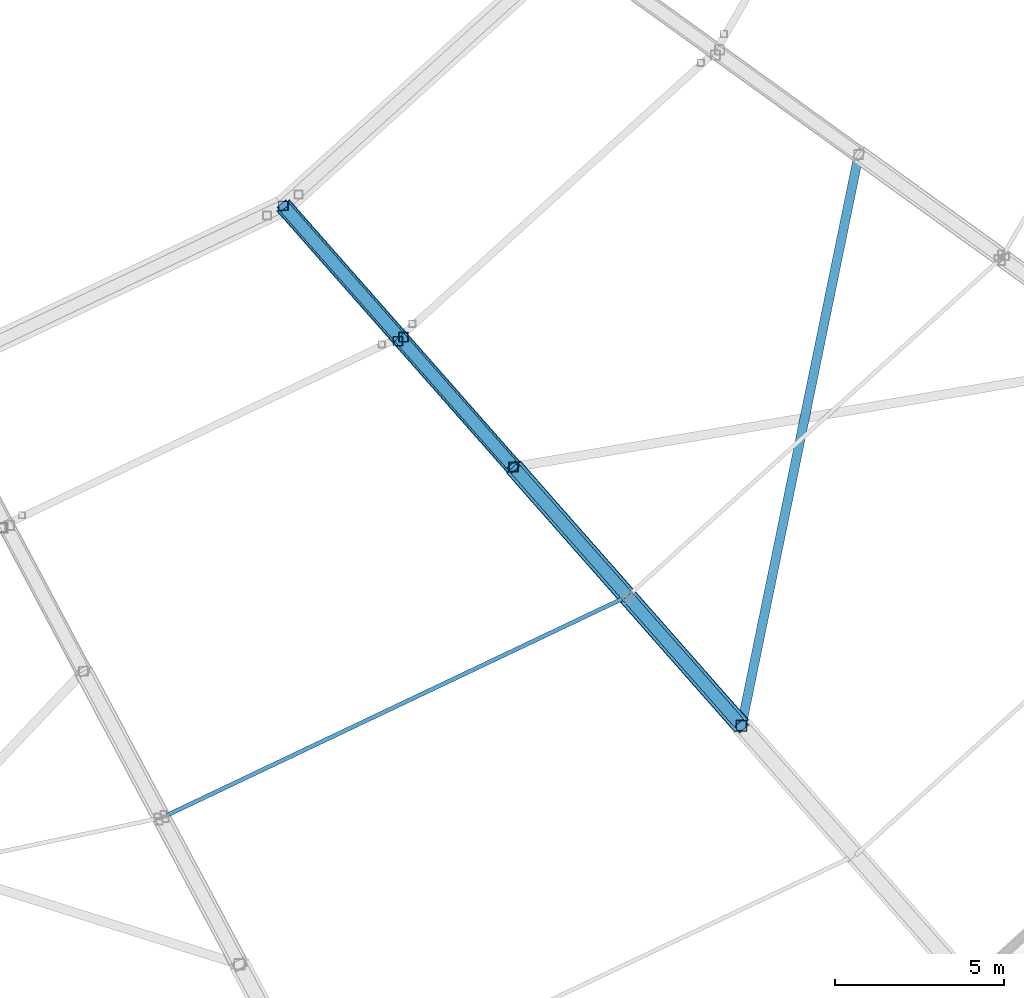
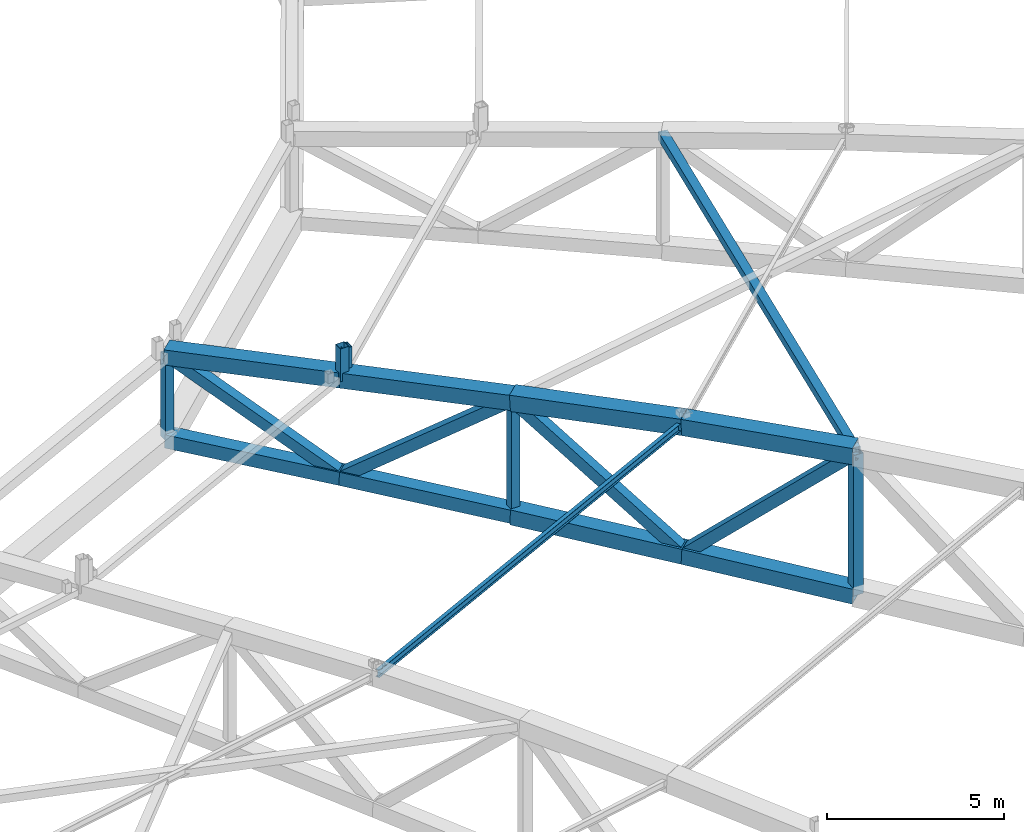
# One storey, part 50 of 162: 19 members.
"""IFC4 building model written with IfcOpenShell, lengths in metres."""

from ifc_helpers import new_model, si_unit, direction, frame, origin, origin_2d, place, context, subcontext, project, spatial, hollow_rectangle, i_section, extrude, material, material_profile, profile_set, type_object, element, save


model = new_model("IFC4")

# Units and contexts
model_context = context("Model", 3, precision=1e-05, world=origin(), true_north=direction((0.0, 1.0)))
body_context = subcontext(model_context, "Body", "Model", "MODEL_VIEW")
ifc_project = project(units=[si_unit("LENGTHUNIT", "METRE"), si_unit("AREAUNIT", "SQUARE_METRE"), si_unit("VOLUMEUNIT", "CUBIC_METRE"), si_unit("PLANEANGLEUNIT", "RADIAN"), si_unit("MASSUNIT", "GRAM", prefix="KILO")], contexts=[model_context])

# Site, building, storey
site_placement = place(None, origin())
site = spatial("IfcSite", under=ifc_project, at=site_placement, CompositionType="ELEMENT")
building_placement = place(site_placement, origin())
building = spatial("IfcBuilding", under=site, at=building_placement, Name="Kazemori Nagisa Stadium", CompositionType="ELEMENT")
storey_placement = place(building_placement, frame((0.0, 0.0, 36.719970703125)))
storey = spatial("IfcBuildingStorey", under=building, at=storey_placement, Name="RF", CompositionType="ELEMENT", Elevation=36.719970703125)

# Members
ifc_material_1 = material(Name="Steel STKR490", Category="steel")
ifc_material_profile_1 = material_profile(ifc_material_1, hollow_rectangle(XDim=0.280029296875, YDim=0.280029296875, WallThickness=0.010009765625, at=origin_2d()), Name="SHS-280x280x10")
ifc_profile_set_1 = profile_set([ifc_material_profile_1], Name="Steel STKR490")
member_type_1 = type_object("IfcMemberType", Name="Member_ST-SHS280", PredefinedType="STUD", material=ifc_profile_set_1)
member_1_placement = place(storey_placement, frame((159.884765625, 59.965087890625, 4.97509765625), z_axis=(0.0, 0.0, 1.0), x_axis=(1.0, 0.0, 0.0)))
element("IfcMember", 1, at=member_1_placement, inside=storey, type_object=member_type_1, Name="Canopy bearing stool B24-inner-3", PredefinedType="STUD", context=body_context, shape_type="SweptSolid", body=[
    extrude(hollow_rectangle(XDim=0.280029296875, YDim=0.280029296875, WallThickness=0.010009765625, at=origin_2d()), origin(), (0.0, 0.0, 1.0), 1.1298828125),
])
member_2_placement = place(storey_placement, frame((160.05224609375, 60.08642578125, 4.97509765625), z_axis=(0.0, 0.0, 1.0), x_axis=(1.0, 0.0, 0.0)))
element("IfcMember", 2, at=member_2_placement, inside=storey, type_object=member_type_1, Name="Canopy bearing stool B25-inner-4", PredefinedType="STUD", context=body_context, shape_type="SweptSolid", body=[
    extrude(hollow_rectangle(XDim=0.280029296875, YDim=0.280029296875, WallThickness=0.010009765625, at=origin_2d()), origin(), (0.0, 0.0, 1.0), 0.992919921875),
])
ifc_material_profile_2 = material_profile(ifc_material_1, hollow_rectangle(XDim=0.280029296875, YDim=0.280029296875, WallThickness=0.010009765625, at=origin_2d()), Name="SHS-280x280x10")
ifc_profile_set_2 = profile_set([ifc_material_profile_2], Name="Steel STKR490")
member_type_2 = type_object("IfcMemberType", Name="Member_TB-SHS280", PredefinedType="BRACE", material=ifc_profile_set_2)
member_3_placement = place(storey_placement, frame((170.07373046875, 48.563720703125, 5.787109375), z_axis=(0.200948332154, 0.979078175819, -0.032026449062), x_axis=(-0.979580679444, 0.201051467193, 0.0)))
element("IfcMember", 3, at=member_3_placement, inside=storey, type_object=member_type_2, Name="Roof space truss plan brace B25-1", PredefinedType="BRACE", context=body_context, shape_type="SweptSolid", body=[
    extrude(hollow_rectangle(XDim=0.280029296875, YDim=0.280029296875, WallThickness=0.010009765625, at=origin_2d()), origin(), (0.0, 0.0, 1.0), 17.304443359375),
])
ifc_material_profile_3 = material_profile(ifc_material_1, hollow_rectangle(XDim=0.360107421875, YDim=0.360107421875, WallThickness=0.013916015625, at=origin_2d()), Name="SHS-360x360x14")
ifc_profile_set_3 = profile_set([ifc_material_profile_3], Name="Steel STKR490")
member_type_3 = type_object("IfcMemberType", Name="Member_TB-SHS360", PredefinedType="BRACE", material=ifc_profile_set_3)
member_4_placement = place(storey_placement, frame((170.07373046875, 48.563720703125, 5.787109375), z_axis=(-0.490786819249, 0.557106488382, -0.66989600585), x_axis=(-0.750357303375, -0.661032463099, 0.0)))
element("IfcMember", 4, at=member_4_placement, inside=storey, type_object=member_type_3, Name="Roof space truss diagonal RT-25-6", PredefinedType="BRACE", context=body_context, shape_type="SweptSolid", body=[
    extrude(hollow_rectangle(XDim=0.360107421875, YDim=0.360107421875, WallThickness=0.013916015625, at=origin_2d()), origin(), (0.0, 0.0, 1.0), 6.8876953125),
])
member_5_placement = place(storey_placement, frame((166.693359375, 52.40087890625, 1.173095703125), z_axis=(-0.512253379035, 0.581473808919, 0.632048008626), x_axis=(-0.750357303375, -0.661032463099, 0.0)))
element("IfcMember", 5, at=member_5_placement, inside=storey, type_object=member_type_3, Name="Roof space truss diagonal RT-25-7", PredefinedType="BRACE", context=body_context, shape_type="SweptSolid", body=[
    extrude(hollow_rectangle(XDim=0.360107421875, YDim=0.360107421875, WallThickness=0.013916015625, at=origin_2d()), origin(), (0.0, 0.0, 1.0), 6.59912109375),
])
member_6_placement = place(storey_placement, frame((163.31298828125, 56.238037109375, 5.343994140625), z_axis=(-0.531302334528, 0.603140396662, -0.594928139559), x_axis=(-0.750380984059, -0.661005581491, 0.0)))
element("IfcMember", 6, at=member_6_placement, inside=storey, type_object=member_type_3, Name="Roof space truss diagonal RT-25-8", PredefinedType="BRACE", context=body_context, shape_type="SweptSolid", body=[
    extrude(hollow_rectangle(XDim=0.360107421875, YDim=0.360107421875, WallThickness=0.013916015625, at=origin_2d()), origin(), (0.0, 0.0, 1.0), 6.362060546875),
])
member_7_placement = place(storey_placement, frame((159.932861328125, 60.0751953125, 1.55908203125), z_axis=(-0.570565216568, 0.647681746336, 0.504939292496), x_axis=(-0.750365637708, -0.661023002434, 0.0)))
element("IfcMember", 7, at=member_7_placement, inside=storey, type_object=member_type_3, Name="Roof space truss diagonal RT-25-9", PredefinedType="BRACE", context=body_context, shape_type="SweptSolid", body=[
    extrude(hollow_rectangle(XDim=0.360107421875, YDim=0.360107421875, WallThickness=0.013916015625, at=origin_2d()), origin(), (0.0, 0.0, 1.0), 6.0341796875),
])
ifc_material_profile_4 = material_profile(ifc_material_1, hollow_rectangle(XDim=0.4599609375, YDim=0.4599609375, WallThickness=0.01611328125, at=origin_2d()), Name="SHS-460x460x16")
ifc_profile_set_4 = profile_set([ifc_material_profile_4], Name="Steel STKR490")
member_type_4 = type_object("IfcMemberType", Name="Member_TC-SHS460", PredefinedType="CHORD", material=ifc_profile_set_4)
member_8_placement = place(storey_placement, frame((163.31298828125, 56.238037109375, 1.39111328125), z_axis=(-0.660649273898, 0.749976499664, 0.032829664171), x_axis=(-0.750380984059, -0.661005581491, 0.0)))
element("IfcMember", 8, at=member_8_placement, inside=storey, type_object=member_type_4, Name="Roof space truss bottom chord RT-25-8", PredefinedType="CHORD", context=body_context, shape_type="SweptSolid", body=[
    extrude(hollow_rectangle(XDim=0.4599609375, YDim=0.4599609375, WallThickness=0.01611328125, at=origin_2d()), origin(), (0.0, 0.0, 1.0), 5.116455078125),
])
member_9_placement = place(storey_placement, frame((159.932861328125, 60.0751953125, 1.55908203125), z_axis=(-0.660823694576, 0.750139391772, 0.024554787687), x_axis=(-0.750365637708, -0.661023002434, 0.0)))
element("IfcMember", 9, at=member_9_placement, inside=storey, type_object=member_type_4, Name="Roof space truss bottom chord RT-25-9", PredefinedType="CHORD", context=body_context, shape_type="SweptSolid", body=[
    extrude(hollow_rectangle(XDim=0.4599609375, YDim=0.4599609375, WallThickness=0.01611328125, at=origin_2d()), origin(), (0.0, 0.0, 1.0), 5.2099609375),
])
ifc_material_profile_5 = material_profile(ifc_material_1, hollow_rectangle(XDim=0.52001953125, YDim=0.52001953125, WallThickness=0.01904296875, at=origin_2d()), Name="SHS-520x520x19")
ifc_profile_set_5 = profile_set([ifc_material_profile_5], Name="Steel STKR490")
member_type_5 = type_object("IfcMemberType", Name="Member_TC-SHS520", PredefinedType="CHORD", material=ifc_profile_set_5)
member_10_placement = place(storey_placement, frame((170.07373046875, 48.563720703125, 0.93505859375), z_axis=(-0.660317483099, 0.749545708642, 0.046497872745), x_axis=(-0.750357303375, -0.661032463099, 0.0)))
element("IfcMember", 10, at=member_10_placement, inside=storey, type_object=member_type_5, Name="Roof space truss bottom chord RT-25-6", PredefinedType="CHORD", context=body_context, shape_type="SweptSolid", body=[
    extrude(hollow_rectangle(XDim=0.52001953125, YDim=0.52001953125, WallThickness=0.01904296875, at=origin_2d()), origin(), (0.0, 0.0, 1.0), 5.119384765625),
])
member_11_placement = place(storey_placement, frame((166.693359375, 52.40087890625, 1.173095703125), z_axis=(-0.660432532392, 0.749676304463, 0.042594702544), x_axis=(-0.750357303375, -0.661032463099, 0.0)))
element("IfcMember", 11, at=member_11_placement, inside=storey, type_object=member_type_5, Name="Roof space truss bottom chord RT-25-7", PredefinedType="CHORD", context=body_context, shape_type="SweptSolid", body=[
    extrude(hollow_rectangle(XDim=0.52001953125, YDim=0.52001953125, WallThickness=0.01904296875, at=origin_2d()), origin(), (0.0, 0.0, 1.0), 5.118408203125),
])
member_12_placement = place(storey_placement, frame((163.31298828125, 56.238037109375, 5.343994140625), z_axis=(-0.659292266129, 0.748436009154, -0.071953096), x_axis=(-0.750380984059, -0.661005581491, 0.0)))
element("IfcMember", 12, at=member_12_placement, inside=storey, type_object=member_type_5, Name="Roof space truss top chord RT-25-8", PredefinedType="CHORD", context=body_context, shape_type="SweptSolid", body=[
    extrude(hollow_rectangle(XDim=0.52001953125, YDim=0.52001953125, WallThickness=0.01904296875, at=origin_2d()), origin(), (0.0, 0.0, 1.0), 5.126953125),
])
member_13_placement = place(storey_placement, frame((159.932861328125, 60.0751953125, 4.97509765625), z_axis=(-0.659369025318, 0.748488112132, -0.070696778207), x_axis=(-0.750365637708, -0.661023002434, 0.0)))
element("IfcMember", 13, at=member_13_placement, inside=storey, type_object=member_type_5, Name="Roof space truss top chord RT-25-9", PredefinedType="CHORD", context=body_context, shape_type="SweptSolid", body=[
    extrude(hollow_rectangle(XDim=0.52001953125, YDim=0.52001953125, WallThickness=0.01904296875, at=origin_2d()), origin(), (0.0, 0.0, 1.0), 5.221435546875),
])
ifc_material_profile_6 = material_profile(ifc_material_1, hollow_rectangle(XDim=0.56005859375, YDim=0.56005859375, WallThickness=0.02001953125, at=origin_2d()), Name="SHS-560x560x20")
ifc_profile_set_6 = profile_set([ifc_material_profile_6], Name="Steel STKR490")
member_type_6 = type_object("IfcMemberType", Name="Member_TC-SHS560", PredefinedType="CHORD", material=ifc_profile_set_6)
member_14_placement = place(storey_placement, frame((170.07373046875, 48.563720703125, 5.787109375), z_axis=(-0.660805523277, 0.750099697338, -0.026201230123), x_axis=(-0.750357303375, -0.661032463099, 0.0)))
element("IfcMember", 14, at=member_14_placement, inside=storey, type_object=member_type_6, Name="Roof space truss top chord RT-25-6", PredefinedType="CHORD", context=body_context, shape_type="SweptSolid", body=[
    extrude(hollow_rectangle(XDim=0.56005859375, YDim=0.56005859375, WallThickness=0.02001953125, at=origin_2d()), origin(), (0.0, 0.0, 1.0), 5.115478515625),
])
member_15_placement = place(storey_placement, frame((166.693359375, 52.40087890625, 5.653076171875), z_axis=(-0.659828344639, 0.748990473255, -0.060330975322), x_axis=(-0.750357303375, -0.661032463099, 0.0)))
element("IfcMember", 15, at=member_15_placement, inside=storey, type_object=member_type_6, Name="Roof space truss top chord RT-25-7", PredefinedType="CHORD", context=body_context, shape_type="SweptSolid", body=[
    extrude(hollow_rectangle(XDim=0.56005859375, YDim=0.56005859375, WallThickness=0.02001953125, at=origin_2d()), origin(), (0.0, 0.0, 1.0), 5.123046875),
])
ifc_material_2 = material(Name="Steel SN490B", Category="steel")
ifc_material_profile_7 = material_profile(ifc_material_2, i_section(OverallWidth=0.125, OverallDepth=0.25, WebThickness=0.006103515625, FlangeThickness=0.009033203125, FilletRadius=0.008056640625, at=origin_2d()), Name="H-250x125x6x9")
ifc_profile_set_7 = profile_set([ifc_material_profile_7], Name="Steel SN490B")
member_type_7 = type_object("IfcMemberType", Name="Member_TP-H250", PredefinedType="PURLIN", material=ifc_profile_set_7)
member_16_placement = place(storey_placement, frame((152.877685546875, 45.8359375, 5.7900390625), z_axis=(0.903178039117, 0.429172762761, -0.00895373447), x_axis=(-0.429189967048, 0.903214244897, 0.0)))
element("IfcMember", 16, at=member_16_placement, inside=storey, type_object=member_type_7, Name="Roof purlin TP-H250 B24-P6", PredefinedType="PURLIN", context=body_context, shape_type="SweptSolid", body=[
    extrude(i_section(OverallWidth=0.125, OverallDepth=0.25, WebThickness=0.006103515625, FlangeThickness=0.009033203125, FilletRadius=0.008056640625, at=origin_2d()), origin(), (0.0, 0.0, 1.0), 15.296630859375),
])
ifc_material_profile_8 = material_profile(ifc_material_1, hollow_rectangle(XDim=0.280029296875, YDim=0.280029296875, WallThickness=0.010009765625, at=origin_2d()), Name="SHS-280x280x10")
ifc_profile_set_8 = profile_set([ifc_material_profile_8], Name="Steel STKR490")
member_type_8 = type_object("IfcMemberType", Name="Member_TS-SHS280", PredefinedType="STRUT", material=ifc_profile_set_8)
member_17_placement = place(storey_placement, frame((163.31298828125, 56.238037109375, 1.39111328125), z_axis=(0.0, 0.0, 1.0), x_axis=(1.0, 0.0, 0.0)))
element("IfcMember", 17, at=member_17_placement, inside=storey, type_object=member_type_8, Name="Roof space truss strut RT-25-8", PredefinedType="STRUT", context=body_context, shape_type="SweptSolid", body=[
    extrude(hollow_rectangle(XDim=0.280029296875, YDim=0.280029296875, WallThickness=0.010009765625, at=origin_2d()), origin(), (0.0, 0.0, 1.0), 3.952880859375),
])
member_18_placement = place(storey_placement, frame((156.489990234375, 63.9833984375, 1.68701171875), z_axis=(0.0, 0.0, 1.0), x_axis=(1.0, 0.0, 0.0)))
element("IfcMember", 18, at=member_18_placement, inside=storey, type_object=member_type_8, Name="Roof space truss strut RT-25-10", PredefinedType="STRUT", context=body_context, shape_type="SweptSolid", body=[
    extrude(hollow_rectangle(XDim=0.280029296875, YDim=0.280029296875, WallThickness=0.010009765625, at=origin_2d()), origin(), (0.0, 0.0, 1.0), 2.9189453125),
])
ifc_material_profile_9 = material_profile(ifc_material_1, hollow_rectangle(XDim=0.320068359375, YDim=0.320068359375, WallThickness=0.011962890625, at=origin_2d()), Name="SHS-320x320x12")
ifc_profile_set_9 = profile_set([ifc_material_profile_9], Name="Steel STKR490")
member_type_9 = type_object("IfcMemberType", Name="Member_TS-SHS320", PredefinedType="STRUT", material=ifc_profile_set_9)
member_19_placement = place(storey_placement, frame((170.07373046875, 48.563720703125, 0.93505859375), z_axis=(0.0, 0.0, 1.0), x_axis=(1.0, 0.0, 0.0)))
element("IfcMember", 19, at=member_19_placement, inside=storey, type_object=member_type_9, Name="Roof space truss strut RT-25-6", PredefinedType="STRUT", context=body_context, shape_type="SweptSolid", body=[
    extrude(hollow_rectangle(XDim=0.320068359375, YDim=0.320068359375, WallThickness=0.011962890625, at=origin_2d()), origin(), (0.0, 0.0, 1.0), 4.85205078125),
])

save(model, "model.ifc")
